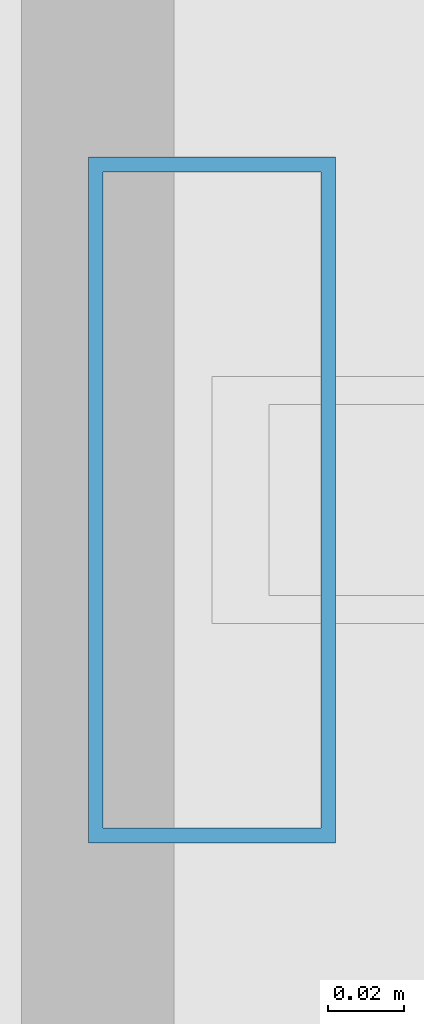
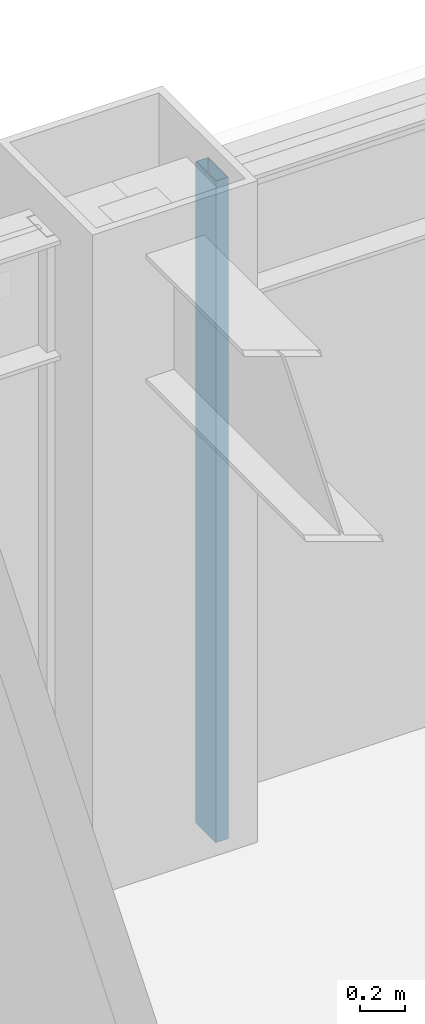
# One storey, part 21 of 31: 1 member, 1 element without a shape of its own.
"""IFC4 building model written with IfcOpenShell, lengths in metres."""

from ifc_helpers import new_model, si_unit, direction, frame, origin, origin_2d, place, context, subcontext, project, spatial, hollow_rectangle, extrude, material, layer, layer_set, material_profile, profile_set, type_object, element, aggregate, save


model = new_model("IFC4")

# Units and contexts
model_context = context("Model", 3, precision=1e-05, world=origin(), true_north=direction((0.0, 1.0)))
body_context = subcontext(model_context, "Body", "Model", "MODEL_VIEW")
ifc_project = project(units=[si_unit("LENGTHUNIT", "METRE"), si_unit("AREAUNIT", "SQUARE_METRE"), si_unit("VOLUMEUNIT", "CUBIC_METRE"), si_unit("PLANEANGLEUNIT", "RADIAN"), si_unit("MASSUNIT", "GRAM", prefix="KILO")], contexts=[model_context])

# Site, building, storey
site_placement = place(None, origin())
site = spatial("IfcSite", under=ifc_project, at=site_placement, CompositionType="ELEMENT")
building_placement = place(site_placement, origin())
building = spatial("IfcBuilding", under=site, at=building_placement, Name="Brelmoor Portico Tower", CompositionType="ELEMENT")
storey_placement = place(building_placement, frame((0.0, 0.0, 106.199951171875)))
storey = spatial("IfcBuildingStorey", under=building, at=storey_placement, Name="L27", CompositionType="ELEMENT", Elevation=106.199951171875)

# Curtain wall, member
ifc_material = material(Name="Anodised Aluminium Alloy 6063-T6", Category="aluminium")
ifc_layer = layer(ifc_material, 0.179931640625)
ifc_layer_set = layer_set([ifc_layer], Name="Anodised Aluminium Alloy 6063-T6")
curtain_wall_type = type_object("IfcCurtainWallType", Name="CW-TOWER-Z2-XB", PredefinedType="NOTDEFINED", material=ifc_layer_set)
curtain_wall_placement = place(storey_placement, origin())
curtain_wall = element("IfcCurtainWall", 1, at=curtain_wall_placement, inside=storey, type_object=curtain_wall_type, Name="L27 Curtain Wall CW-L27-02-3", PredefinedType="NOTDEFINED")
ifc_material_profile = material_profile(ifc_material, hollow_rectangle(XDim=0.06494140625, YDim=0.179931640625, WallThickness=0.00390625, at=origin_2d()), Name="ALU MULLION 65x180")
ifc_profile_set = profile_set([ifc_material_profile], Name="Anodised Aluminium Alloy 6063-T6")
member_type = type_object("IfcMemberType", Name="MB-CW-MULL-180", PredefinedType="MULLION", material=ifc_profile_set)
member_placement = place(storey_placement, frame((-7.614990234375, 19.550048828125, -0.199951171875), z_axis=(0.0, 0.0, 1.0), x_axis=(1.0, 0.0, 0.0)))
member = element("IfcMember", 2, at=member_placement, type_object=member_type, Name="CW-L27-02-3 Mullion 00", PredefinedType="MULLION", context=body_context, shape_type="SweptSolid", body=[
    extrude(hollow_rectangle(XDim=0.06494140625, YDim=0.179931640625, WallThickness=0.00390625, at=origin_2d()), origin(), (0.0, 0.0, 1.0), 3.60009765625),
])
aggregate(curtain_wall, [member])

save(model, "model.ifc")
